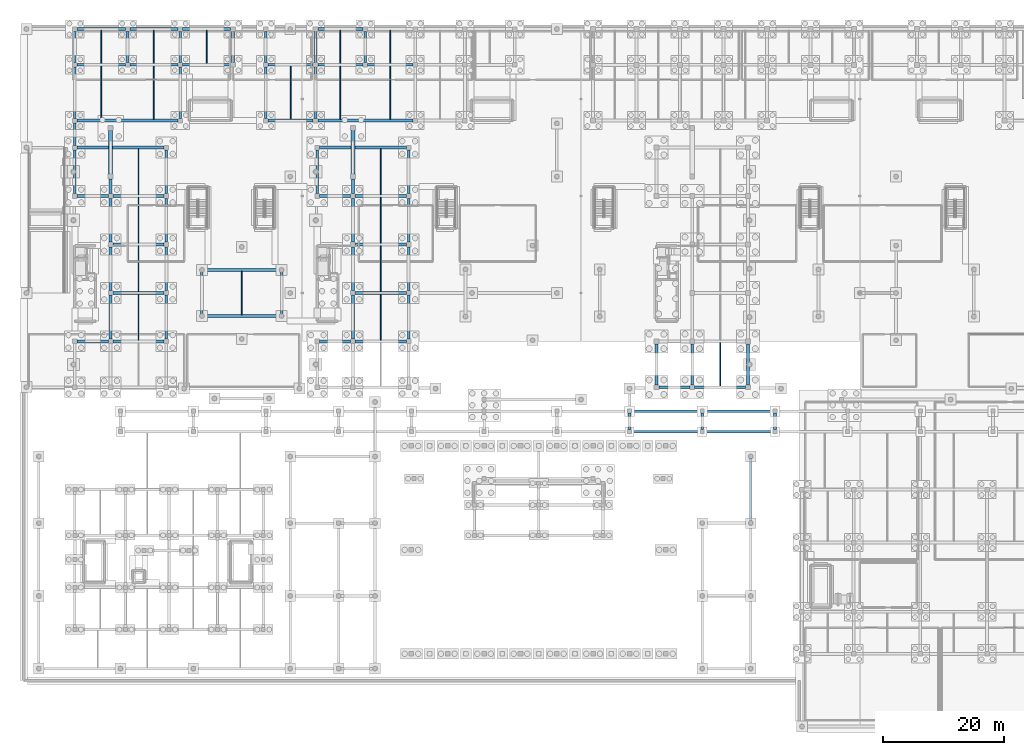
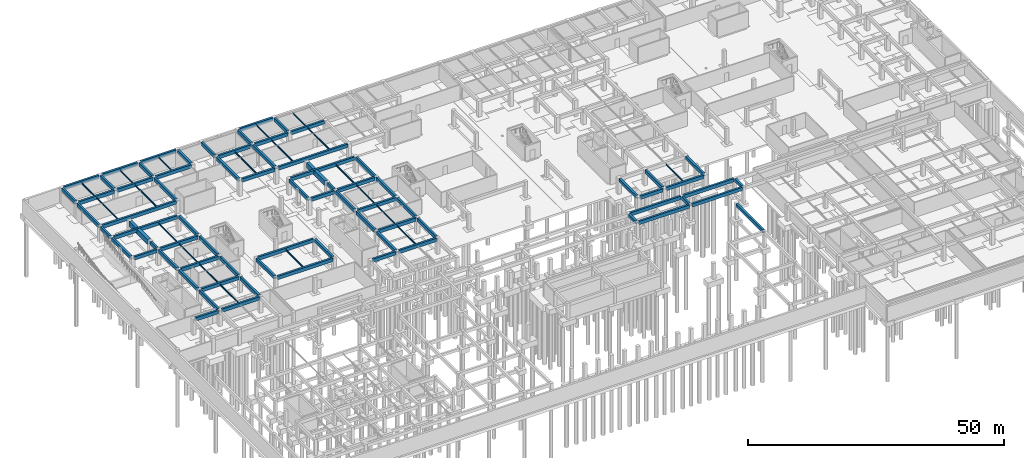
# One storey, part 15 of 35: 96 beams.
"""IFC4 building model written with IfcOpenShell, lengths in metres."""

import ifcopenshell
import ifcopenshell.guid

model = None  # the IFC model being written
_history = None  # IfcOwnerHistory: only IFC2X3 demands one
_inside = {}  # id of a spatial element -> (the spatial element, [elements in it])
_under = {}  # id of a project, library or spatial element -> (it, [spatial elements below it])
_declared = {}  # id of a project -> (the project, [libraries it declares])
_typed = {}  # id of a type object -> (the type object, [elements of that type])
_made_of = {}  # id of a material, layer set ... -> (it, [elements and type objects made of it])


def new_model(schema):
    """Start an empty IFC model of exactly this schema.

    Asked for "IFC4X3", IfcOpenShell would pick the latest addendum, in which some entities
    have other attributes; the version numbers below select the first issue.
    IFC2X3 requires an IfcOwnerHistory on every rooted entity: one is made here for all.
    """
    global model, _history
    if schema == "IFC4X3":
        model = ifcopenshell.file(schema_version=(4, 3, 0, 0))
    else:
        model = ifcopenshell.file(schema=schema)
    _inside.clear()
    _under.clear()
    _declared.clear()
    _typed.clear()
    _made_of.clear()
    _history = None
    if model.schema == "IFC2X3":
        org = make("IfcOrganization", Name="unknown")
        user = make(
            "IfcPersonAndOrganization",
            ThePerson=make("IfcPerson", FamilyName="unknown"),
            TheOrganization=org,
        )
        app = make(
            "IfcApplication",
            ApplicationDeveloper=org,
            Version="unknown",
            ApplicationFullName="unknown",
            ApplicationIdentifier="unknown",
        )
        _history = make(
            "IfcOwnerHistory",
            OwningUser=user,
            OwningApplication=app,
            ChangeAction="ADDED",
            CreationDate=0,
        )
    return model


def make(cls, **values):
    """One entity of the class cls with the attributes given. An attribute that is None is left unset."""
    return model.create_entity(
        cls, **{name: value for name, value in values.items() if value is not None}
    )


def rooted(cls, **values):
    """An entity with a GlobalId (a new one), such as an element, a storey or a relation."""
    return make(cls, GlobalId=ifcopenshell.guid.new(), OwnerHistory=_history, **values)


def si_unit(unit_type, name, prefix=None):
    """IfcSIUnit, for example si_unit("LENGTHUNIT", "METRE", prefix="MILLI")."""
    return make("IfcSIUnit", UnitType=unit_type, Prefix=prefix, Name=name)


def assignment(units):
    """IfcUnitAssignment: the units of a project."""
    return None if units is None else make("IfcUnitAssignment", Units=units)


def point(xyz):
    """IfcCartesianPoint."""
    return None if xyz is None else make("IfcCartesianPoint", Coordinates=xyz)


def direction(xyz):
    """IfcDirection."""
    return None if xyz is None else make("IfcDirection", DirectionRatios=xyz)


def frame(location, z_axis=None, x_axis=None):
    """IfcAxis2Placement3D, a coordinate frame: its origin and axes. An axis left out is left unset."""
    return make(
        "IfcAxis2Placement3D",
        Location=point(location),
        Axis=direction(z_axis),
        RefDirection=direction(x_axis),
    )


def frame_2d(location, x_axis=None):
    """IfcAxis2Placement2D, a coordinate frame in the plane: its origin and x axis."""
    return make(
        "IfcAxis2Placement2D", Location=point(location), RefDirection=direction(x_axis)
    )


def origin():
    """The frame at (0, 0, 0) with its axes left unset."""
    return frame((0.0, 0.0, 0.0))


def origin_2d():
    """The frame at (0, 0) in the plane with its x axis left unset."""
    return frame_2d((0.0, 0.0))


def place(relative_to, where):
    """IfcLocalPlacement: puts the frame where relative to a parent placement (None: the world)."""
    return make(
        "IfcLocalPlacement", PlacementRelTo=relative_to, RelativePlacement=where
    )


def context(
    kind, dimensions, precision=None, world=None, true_north=None, identifier=None
):
    """IfcGeometricRepresentationContext, for example the 3D "Model" context."""
    return make(
        "IfcGeometricRepresentationContext",
        ContextIdentifier=identifier,
        ContextType=kind,
        CoordinateSpaceDimension=dimensions,
        Precision=precision,
        WorldCoordinateSystem=world,
        TrueNorth=true_north,
    )


def subcontext(parent, identifier, kind, view, scale=None):
    """IfcGeometricRepresentationSubContext, for example "Body" below "Model"."""
    return make(
        "IfcGeometricRepresentationSubContext",
        ContextIdentifier=identifier,
        ContextType=kind,
        ParentContext=parent,
        TargetScale=scale,
        TargetView=view,
    )


def project(units=None, contexts=None):
    """IfcProject with its units and contexts."""
    return rooted(
        "IfcProject",
        Name="project",
        RepresentationContexts=contexts,
        UnitsInContext=assignment(units),
    )


def spatial(cls, under=None, at=None, **own):
    """A site, building, storey or space (cls), placed at a placement, below another one or the project."""
    s = rooted(cls, ObjectPlacement=at, **own)
    if under is not None:
        _under.setdefault(under.id(), (under, []))[1].append(s)
    return s


def profile(cls, at=None, kind="AREA", **sizes):
    """A parametric profile (cls). Its sizes go by their IFC names, for example OverallWidth=200.0."""
    return make(cls, ProfileType=kind, Position=at, **sizes)


def rectangle(**sizes):
    """IfcRectangleProfileDef."""
    return profile("IfcRectangleProfileDef", **sizes)


def i_section(**sizes):
    """IfcIShapeProfileDef."""
    return profile("IfcIShapeProfileDef", **sizes)


def extrude(swept, where, along, depth):
    """IfcExtrudedAreaSolid: the profile swept, set in the frame where, extruded along a direction by depth."""
    return make(
        "IfcExtrudedAreaSolid",
        SweptArea=swept,
        Position=where,
        ExtrudedDirection=direction(along),
        Depth=depth,
    )


def shape(context_of_items, identifier, shape_type, items):
    """IfcShapeRepresentation: the items that make up one representation, for example the "Body"."""
    return make(
        "IfcShapeRepresentation",
        ContextOfItems=context_of_items,
        RepresentationIdentifier=identifier,
        RepresentationType=shape_type,
        Items=items,
    )


def material(Name=None, Category=None):
    """IfcMaterial."""
    return make("IfcMaterial", Name=Name, Category=Category)


def material_profile(
    of_material, cross_section, Name=None, Category=None, Priority=None
):
    """IfcMaterialProfile: a cross section and its material."""
    return make(
        "IfcMaterialProfile",
        Name=Name,
        Material=of_material,
        Profile=cross_section,
        Priority=Priority,
        Category=Category,
    )


def profile_set(profiles, Name=None, composite=None):
    """IfcMaterialProfileSet."""
    return make(
        "IfcMaterialProfileSet",
        Name=Name,
        MaterialProfiles=profiles,
        CompositeProfile=composite,
    )


def made_of(thing, what):
    """Note that an element or type object is made of a material, layer set ...; save() writes the relation."""
    if what is not None:
        _made_of.setdefault(what.id(), (what, []))[1].append(thing)
    return thing


def type_object(cls, material=None, **own):
    """A type object (cls), such as IfcWallType, which elements share."""
    return made_of(rooted(cls, **own), material)


def element(
    cls,
    number,
    at=None,
    inside=None,
    cuts=None,
    type_object=None,
    material=None,
    context=None,
    identifier="Body",
    shape_type=None,
    held_by="IfcProductDefinitionShape",
    body=None,
    shapes=None,
    **own,
):
    """One element of the class cls, such as IfcWall. Its Tag is "e" and its number.

    at: its placement. inside: the storey or other place that contains it. cuts: it is an
    opening in that element (IfcRelVoidsElement). A single representation is given by context,
    identifier, shape_type and body (its items); several are given by shapes. held_by: the class
    of the entity that holds the representations. save() writes the other relations.
    """
    e = rooted(cls, Tag="e%d" % number, ObjectPlacement=at, **own)
    if body is not None:
        shapes = [shape(context, identifier, shape_type, body)]
    if shapes is not None:
        e.Representation = make(held_by, Representations=shapes)
    if inside is not None:
        _inside.setdefault(inside.id(), (inside, []))[1].append(e)
    if cuts is not None:
        rooted(
            "IfcRelVoidsElement", RelatingBuildingElement=cuts, RelatedOpeningElement=e
        )
    if type_object is not None:
        _typed.setdefault(type_object.id(), (type_object, []))[1].append(e)
    return made_of(e, material)


def aggregate(whole, parts):
    """IfcRelAggregates: a whole, such as a stair, and the parts it consists of."""
    return rooted("IfcRelAggregates", RelatingObject=whole, RelatedObjects=parts)


def save(model, path):
    """Write the relations noted so far, then the file.

    IfcRelAggregates (storeys below a building ...), IfcRelContainedInSpatialStructure (elements
    in a storey), IfcRelDefinesByType, IfcRelAssociatesMaterial and IfcRelDeclares: one each for
    every whole, place, type object, material and project.
    """
    for whole, parts in _under.values():
        aggregate(whole, parts)
    for where, things in _inside.values():
        rooted(
            "IfcRelContainedInSpatialStructure",
            RelatedElements=things,
            RelatingStructure=where,
        )
    for kind, things in _typed.values():
        rooted("IfcRelDefinesByType", RelatedObjects=things, RelatingType=kind)
    for what, things in _made_of.values():
        rooted("IfcRelAssociatesMaterial", RelatedObjects=things, RelatingMaterial=what)
    for by, libraries in _declared.values():
        rooted("IfcRelDeclares", RelatingContext=by, RelatedDefinitions=libraries)
    model.write(path)


model = new_model("IFC4")

# Units and contexts
model_context = context("Model", 3, precision=1e-05, world=origin(), true_north=direction((0.0, 1.0)))
body_context = subcontext(model_context, "Body", "Model", "MODEL_VIEW")
ifc_project = project(units=[si_unit("LENGTHUNIT", "METRE"), si_unit("AREAUNIT", "SQUARE_METRE"), si_unit("VOLUMEUNIT", "CUBIC_METRE"), si_unit("PLANEANGLEUNIT", "RADIAN"), si_unit("MASSUNIT", "GRAM", prefix="KILO")], contexts=[model_context])

# Site, building, storey
site_placement = place(None, origin())
site = spatial("IfcSite", under=ifc_project, at=site_placement, CompositionType="ELEMENT")
building_placement = place(site_placement, origin())
building = spatial("IfcBuilding", under=site, at=building_placement, Name="Keldmere Railside Commons", CompositionType="ELEMENT")
storey_placement = place(building_placement, frame((0.0, 0.0, -3.840087890625)))
storey = spatial("IfcBuildingStorey", under=building, at=storey_placement, Name="B1", CompositionType="ELEMENT", Elevation=-3.840087890625)

# Beams
ifc_material_1 = material(Name="Concrete H-35 (C35/45)", Category="concrete")
ifc_material_profile_1 = material_profile(ifc_material_1, rectangle(XDim=0.449951171875, YDim=0.800048828125, at=origin_2d()), Name="RC-450x800")
ifc_profile_set_1 = profile_set([ifc_material_profile_1], Name="Concrete H-35 (C35/45)")
beam_type_1 = type_object("IfcBeamType", Name="Basement & Podium RC Girder 450x800", PredefinedType="BEAM", material=ifc_profile_set_1)
for number, where, z_axis, x_axis, name in (
    (1, (100.324951171875, 49.10009765625, 3.440185546875), (1.0, 0.0, 0.0), (0.0, 1.0, 0.0), "BG-1 BM-B1-0073"),
    (2, (112.324951171875, 49.10009765625, 3.440185546875), (1.0, 0.0, 0.0), (0.0, 1.0, 0.0), "BG-1 BM-B1-0074"),
    (3, (100.324951171875, 52.5, 3.440185546875), (1.0, 0.0, 0.0), (0.0, 1.0, 0.0), "BG-1 BM-B1-0086"),
    (4, (112.324951171875, 52.5, 3.440185546875), (1.0, 0.0, 0.0), (0.0, 1.0, 0.0), "BG-1 BM-B1-0087"),
):
    element("IfcBeam", number, at=place(storey_placement, frame(where, z_axis=z_axis, x_axis=x_axis)), inside=storey, type_object=beam_type_1, Name=name, PredefinedType="BEAM", context=body_context, shape_type="SweptSolid", body=[
        extrude(rectangle(XDim=0.449951171875, YDim=0.800048828125, at=origin_2d()), origin(), (0.0, 0.0, 1.0), 11.35009765625),
    ])
beam_1_placement = place(storey_placement, frame((104.85009765625, 56.449951171875, 3.440185546875), z_axis=(1.0, 0.0, 0.0), x_axis=(0.0, 1.0, 0.0)))
element("IfcBeam", 5, at=beam_1_placement, inside=storey, type_object=beam_type_1, Name="BG-1 BM-B1-0099", PredefinedType="BEAM", context=body_context, shape_type="SweptSolid", body=[
    extrude(rectangle(XDim=0.449951171875, YDim=0.800048828125, at=origin_2d()), origin(), (0.0, 0.0, 1.0), 5.099853515625),
])
beam_2_placement = place(storey_placement, frame((110.75, 56.449951171875, 3.440185546875), z_axis=(1.0, 0.0, 0.0), x_axis=(0.0, 1.0, 0.0)))
element("IfcBeam", 6, at=beam_2_placement, inside=storey, type_object=beam_type_1, Name="BG-1 BM-B1-0100", PredefinedType="BEAM", context=body_context, shape_type="SweptSolid", body=[
    extrude(rectangle(XDim=0.449951171875, YDim=0.800048828125, at=origin_2d()), origin(), (0.0, 0.0, 1.0), 8.39990234375),
])
beam_3_placement = place(storey_placement, frame((8.824951171875, 64.0, 3.440185546875), z_axis=(1.0, 0.0, 0.0), x_axis=(0.0, 1.0, 0.0)))
element("IfcBeam", 7, at=beam_3_placement, inside=storey, type_object=beam_type_1, Name="BG-1 BM-B1-0103", PredefinedType="BEAM", context=body_context, shape_type="SweptSolid", body=[
    extrude(rectangle(XDim=0.449951171875, YDim=0.800048828125, at=origin_2d()), origin(), (0.0, 0.0, 1.0), 5.150146484375),
])
beam_4_placement = place(storey_placement, frame((14.72509765625, 64.0, 3.440185546875), z_axis=(1.0, 0.0, 0.0), x_axis=(0.0, 1.0, 0.0)))
element("IfcBeam", 8, at=beam_4_placement, inside=storey, type_object=beam_type_1, Name="BG-1 BM-B1-0104", PredefinedType="BEAM", context=body_context, shape_type="SweptSolid", body=[
    extrude(rectangle(XDim=0.449951171875, YDim=0.800048828125, at=origin_2d()), origin(), (0.0, 0.0, 1.0), 8.449951171875),
])
beam_5_placement = place(storey_placement, frame((48.824951171875, 64.0, 3.440185546875), z_axis=(1.0, 0.0, 0.0), x_axis=(0.0, 1.0, 0.0)))
element("IfcBeam", 9, at=beam_5_placement, inside=storey, type_object=beam_type_1, Name="BG-1 BM-B1-0105", PredefinedType="BEAM", context=body_context, shape_type="SweptSolid", body=[
    extrude(rectangle(XDim=0.449951171875, YDim=0.800048828125, at=origin_2d()), origin(), (0.0, 0.0, 1.0), 5.150146484375),
])
beam_6_placement = place(storey_placement, frame((54.72509765625, 64.0, 3.440185546875), z_axis=(1.0, 0.0, 0.0), x_axis=(0.0, 1.0, 0.0)))
element("IfcBeam", 10, at=beam_6_placement, inside=storey, type_object=beam_type_1, Name="BG-1 BM-B1-0106", PredefinedType="BEAM", context=body_context, shape_type="SweptSolid", body=[
    extrude(rectangle(XDim=0.449951171875, YDim=0.800048828125, at=origin_2d()), origin(), (0.0, 0.0, 1.0), 8.449951171875),
])
beam_7_placement = place(storey_placement, frame((29.742919921875, 68.199951171875, 3.440185546875), z_axis=(1.0, 0.0, 0.0), x_axis=(0.0, 1.0, 0.0)))
element("IfcBeam", 11, at=beam_7_placement, inside=storey, type_object=beam_type_1, Name="BG-1 BM-B1-0111", PredefinedType="BEAM", context=body_context, shape_type="SweptSolid", body=[
    extrude(rectangle(XDim=0.449951171875, YDim=0.800048828125, at=origin_2d()), origin(), (0.0, 0.0, 1.0), 12.51416015625),
])
for number, where, z_axis, x_axis, name in (
    (12, (14.72509765625, 72.0, 3.440185546875), (1.0, 0.0, 0.0), (0.0, 1.0, 0.0), "BG-1 BM-B1-0112"),
    (13, (54.72509765625, 72.0, 3.440185546875), (1.0, 0.0, 0.0), (0.0, 1.0, 0.0), "BG-1 BM-B1-0113"),
):
    element("IfcBeam", number, at=place(storey_placement, frame(where, z_axis=z_axis, x_axis=x_axis)), inside=storey, type_object=beam_type_1, Name=name, PredefinedType="BEAM", context=body_context, shape_type="SweptSolid", body=[
        extrude(rectangle(XDim=0.449951171875, YDim=0.800048828125, at=origin_2d()), origin(), (0.0, 0.0, 1.0), 8.449951171875),
    ])
beam_8_placement = place(storey_placement, frame((29.742919921875, 75.800048828125, 3.440185546875), z_axis=(1.0, 0.0, 0.0), x_axis=(0.0, 1.0, 0.0)))
element("IfcBeam", 14, at=beam_8_placement, inside=storey, type_object=beam_type_1, Name="BG-1 BM-B1-0118", PredefinedType="BEAM", context=body_context, shape_type="SweptSolid", body=[
    extrude(rectangle(XDim=0.449951171875, YDim=0.800048828125, at=origin_2d()), origin(), (0.0, 0.0, 1.0), 12.51416015625),
])
for number, where, z_axis, x_axis, name in (
    (15, (14.72509765625, 80.0, 3.440185546875), (1.0, 0.0, 0.0), (0.0, 1.0, 0.0), "BG-1 BM-B1-0119"),
    (16, (54.72509765625, 80.0, 3.440185546875), (1.0, 0.0, 0.0), (0.0, 1.0, 0.0), "BG-1 BM-B1-0120"),
):
    element("IfcBeam", number, at=place(storey_placement, frame(where, z_axis=z_axis, x_axis=x_axis)), inside=storey, type_object=beam_type_1, Name=name, PredefinedType="BEAM", context=body_context, shape_type="SweptSolid", body=[
        extrude(rectangle(XDim=0.449951171875, YDim=0.800048828125, at=origin_2d()), origin(), (0.0, 0.0, 1.0), 8.449951171875),
    ])
beam_9_placement = place(storey_placement, frame((8.824951171875, 88.0, 3.440185546875), z_axis=(1.0, 0.0, 0.0), x_axis=(0.0, 1.0, 0.0)))
element("IfcBeam", 17, at=beam_9_placement, inside=storey, type_object=beam_type_1, Name="BG-1 BM-B1-0123", PredefinedType="BEAM", context=body_context, shape_type="SweptSolid", body=[
    extrude(rectangle(XDim=0.449951171875, YDim=0.800048828125, at=origin_2d()), origin(), (0.0, 0.0, 1.0), 5.150146484375),
])
beam_10_placement = place(storey_placement, frame((14.72509765625, 88.0, 3.440185546875), z_axis=(1.0, 0.0, 0.0), x_axis=(0.0, 1.0, 0.0)))
element("IfcBeam", 18, at=beam_10_placement, inside=storey, type_object=beam_type_1, Name="BG-1 BM-B1-0124", PredefinedType="BEAM", context=body_context, shape_type="SweptSolid", body=[
    extrude(rectangle(XDim=0.449951171875, YDim=0.800048828125, at=origin_2d()), origin(), (0.0, 0.0, 1.0), 8.449951171875),
])
beam_11_placement = place(storey_placement, frame((48.824951171875, 88.0, 3.440185546875), z_axis=(1.0, 0.0, 0.0), x_axis=(0.0, 1.0, 0.0)))
element("IfcBeam", 19, at=beam_11_placement, inside=storey, type_object=beam_type_1, Name="BG-1 BM-B1-0125", PredefinedType="BEAM", context=body_context, shape_type="SweptSolid", body=[
    extrude(rectangle(XDim=0.449951171875, YDim=0.800048828125, at=origin_2d()), origin(), (0.0, 0.0, 1.0), 5.150146484375),
])
beam_12_placement = place(storey_placement, frame((54.72509765625, 88.0, 3.440185546875), z_axis=(1.0, 0.0, 0.0), x_axis=(0.0, 1.0, 0.0)))
element("IfcBeam", 20, at=beam_12_placement, inside=storey, type_object=beam_type_1, Name="BG-1 BM-B1-0126", PredefinedType="BEAM", context=body_context, shape_type="SweptSolid", body=[
    extrude(rectangle(XDim=0.449951171875, YDim=0.800048828125, at=origin_2d()), origin(), (0.0, 0.0, 1.0), 8.449951171875),
])
for number, where, z_axis, x_axis, name in (
    (21, (8.824951171875, 96.0, 3.440185546875), (1.0, 0.0, 0.0), (0.0, 1.0, 0.0), "BG-1 BM-B1-0131"),
    (22, (48.824951171875, 96.0, 3.440185546875), (1.0, 0.0, 0.0), (0.0, 1.0, 0.0), "BG-1 BM-B1-0132"),
):
    element("IfcBeam", number, at=place(storey_placement, frame(where, z_axis=z_axis, x_axis=x_axis)), inside=storey, type_object=beam_type_1, Name=name, PredefinedType="BEAM", context=body_context, shape_type="SweptSolid", body=[
        extrude(rectangle(XDim=0.449951171875, YDim=0.800048828125, at=origin_2d()), origin(), (0.0, 0.0, 1.0), 14.35009765625),
    ])
beam_13_placement = place(storey_placement, frame((8.824951171875, 100.449951171875, 3.440185546875), z_axis=(1.0, 0.0, 0.0), x_axis=(0.0, 1.0, 0.0)))
element("IfcBeam", 23, at=beam_13_placement, inside=storey, type_object=beam_type_1, Name="BG-1 BM-B1-0135", PredefinedType="BEAM", context=body_context, shape_type="SweptSolid", body=[
    extrude(rectangle(XDim=0.449951171875, YDim=0.800048828125, at=origin_2d()), origin(), (0.0, 0.0, 1.0), 16.650146484375),
])
beam_14_placement = place(storey_placement, frame((40.324951171875, 100.449951171875, 3.440185546875), z_axis=(1.0, 0.0, 0.0), x_axis=(0.0, 1.0, 0.0)))
element("IfcBeam", 24, at=beam_14_placement, inside=storey, type_object=beam_type_1, Name="BG-1 BM-B1-0136", PredefinedType="BEAM", context=body_context, shape_type="SweptSolid", body=[
    extrude(rectangle(XDim=0.449951171875, YDim=0.800048828125, at=origin_2d()), origin(), (0.0, 0.0, 1.0), 7.469970703125),
])
beam_15_placement = place(storey_placement, frame((48.544921875, 100.449951171875, 3.440185546875), z_axis=(1.0, 0.0, 0.0), x_axis=(0.0, 1.0, 0.0)))
element("IfcBeam", 25, at=beam_15_placement, inside=storey, type_object=beam_type_1, Name="BG-1 BM-B1-0137", PredefinedType="BEAM", context=body_context, shape_type="SweptSolid", body=[
    extrude(rectangle(XDim=0.449951171875, YDim=0.800048828125, at=origin_2d()), origin(), (0.0, 0.0, 1.0), 15.690185546875),
])
beam_16_placement = place(storey_placement, frame((8.824951171875, 109.64990234375, 3.440185546875), z_axis=(1.0, 0.0, 0.0), x_axis=(0.0, 1.0, 0.0)))
element("IfcBeam", 26, at=beam_16_placement, inside=storey, type_object=beam_type_1, Name="BG-1 BM-B1-0145", PredefinedType="BEAM", context=body_context, shape_type="SweptSolid", body=[
    extrude(rectangle(XDim=0.449951171875, YDim=0.800048828125, at=origin_2d()), origin(), (0.0, 0.0, 1.0), 7.949951171875),
])
beam_17_placement = place(storey_placement, frame((17.52490234375, 109.64990234375, 3.440185546875), z_axis=(1.0, 0.0, 0.0), x_axis=(0.0, 1.0, 0.0)))
element("IfcBeam", 27, at=beam_17_placement, inside=storey, type_object=beam_type_1, Name="BG-1 BM-B1-0146", PredefinedType="BEAM", context=body_context, shape_type="SweptSolid", body=[
    extrude(rectangle(XDim=0.449951171875, YDim=0.800048828125, at=origin_2d()), origin(), (0.0, 0.0, 1.0), 7.9501953125),
])
beam_18_placement = place(storey_placement, frame((26.22509765625, 109.64990234375, 3.440185546875), z_axis=(1.0, 0.0, 0.0), x_axis=(0.0, 1.0, 0.0)))
element("IfcBeam", 28, at=beam_18_placement, inside=storey, type_object=beam_type_1, Name="BG-1 BM-B1-0147", PredefinedType="BEAM", context=body_context, shape_type="SweptSolid", body=[
    extrude(rectangle(XDim=0.449951171875, YDim=0.800048828125, at=origin_2d()), origin(), (0.0, 0.0, 1.0), 7.949951171875),
])
for number, where, z_axis, x_axis, name in (
    (29, (40.324951171875, 109.64990234375, 3.440185546875), (1.0, 0.0, 0.0), (0.0, 1.0, 0.0), "BG-1 BM-B1-0148"),
    (30, (48.544921875, 109.64990234375, 3.440185546875), (1.0, 0.0, 0.0), (0.0, 1.0, 0.0), "BG-1 BM-B1-0149"),
):
    element("IfcBeam", number, at=place(storey_placement, frame(where, z_axis=z_axis, x_axis=x_axis)), inside=storey, type_object=beam_type_1, Name=name, PredefinedType="BEAM", context=body_context, shape_type="SweptSolid", body=[
        extrude(rectangle(XDim=0.449951171875, YDim=0.800048828125, at=origin_2d()), origin(), (0.0, 0.0, 1.0), 7.469970703125),
    ])
beam_19_placement = place(storey_placement, frame((56.764892578125, 109.64990234375, 3.440185546875), z_axis=(1.0, 0.0, 0.0), x_axis=(0.0, 1.0, 0.0)))
element("IfcBeam", 31, at=beam_19_placement, inside=storey, type_object=beam_type_1, Name="BG-1 BM-B1-0150", PredefinedType="BEAM", context=body_context, shape_type="SweptSolid", body=[
    extrude(rectangle(XDim=0.449951171875, YDim=0.800048828125, at=origin_2d()), origin(), (0.0, 0.0, 1.0), 7.47021484375),
])
beam_20_placement = place(storey_placement, frame((8.824951171875, 115.550048828125, 3.440185546875), z_axis=(1.0, 0.0, 0.0), x_axis=(0.0, 1.0, 0.0)))
element("IfcBeam", 32, at=beam_20_placement, inside=storey, type_object=beam_type_1, Name="BG-1 BM-B1-0164", PredefinedType="BEAM", context=body_context, shape_type="SweptSolid", body=[
    extrude(rectangle(XDim=0.449951171875, YDim=0.800048828125, at=origin_2d()), origin(), (0.0, 0.0, 1.0), 7.949951171875),
])
beam_21_placement = place(storey_placement, frame((17.52490234375, 115.550048828125, 3.440185546875), z_axis=(1.0, 0.0, 0.0), x_axis=(0.0, 1.0, 0.0)))
element("IfcBeam", 33, at=beam_21_placement, inside=storey, type_object=beam_type_1, Name="BG-1 BM-B1-0165", PredefinedType="BEAM", context=body_context, shape_type="SweptSolid", body=[
    extrude(rectangle(XDim=0.449951171875, YDim=0.800048828125, at=origin_2d()), origin(), (0.0, 0.0, 1.0), 7.9501953125),
])
beam_22_placement = place(storey_placement, frame((26.22509765625, 115.550048828125, 3.440185546875), z_axis=(1.0, 0.0, 0.0), x_axis=(0.0, 1.0, 0.0)))
element("IfcBeam", 34, at=beam_22_placement, inside=storey, type_object=beam_type_1, Name="BG-1 BM-B1-0166", PredefinedType="BEAM", context=body_context, shape_type="SweptSolid", body=[
    extrude(rectangle(XDim=0.449951171875, YDim=0.800048828125, at=origin_2d()), origin(), (0.0, 0.0, 1.0), 7.949951171875),
])
beam_23_placement = place(storey_placement, frame((48.544921875, 115.550048828125, 3.440185546875), z_axis=(1.0, 0.0, 0.0), x_axis=(0.0, 1.0, 0.0)))
element("IfcBeam", 35, at=beam_23_placement, inside=storey, type_object=beam_type_1, Name="BG-1 BM-B1-0167", PredefinedType="BEAM", context=body_context, shape_type="SweptSolid", body=[
    extrude(rectangle(XDim=0.449951171875, YDim=0.800048828125, at=origin_2d()), origin(), (0.0, 0.0, 1.0), 7.469970703125),
])
beam_24_placement = place(storey_placement, frame((8.449951171875, 88.375, 3.440185546875), z_axis=(0.0, 1.0, 0.0), x_axis=(-1.0, 0.0, 0.0)))
element("IfcBeam", 36, at=beam_24_placement, inside=storey, type_object=beam_type_1, Name="BG-1 BM-B1-0188", PredefinedType="BEAM", context=body_context, shape_type="SweptSolid", body=[
    extrude(rectangle(XDim=0.449951171875, YDim=0.800048828125, at=origin_2d()), origin(), (0.0, 0.0, 1.0), 7.25),
])
beam_25_placement = place(storey_placement, frame((8.449951171875, 96.375, 3.440185546875), z_axis=(0.0, 1.0, 0.0), x_axis=(-1.0, 0.0, 0.0)))
element("IfcBeam", 37, at=beam_25_placement, inside=storey, type_object=beam_type_1, Name="BG-1 BM-B1-0189", PredefinedType="BEAM", context=body_context, shape_type="SweptSolid", body=[
    extrude(rectangle(XDim=0.449951171875, YDim=0.800048828125, at=origin_2d()), origin(), (0.0, 0.0, 1.0), 3.699951171875),
])
beam_26_placement = place(storey_placement, frame((8.449951171875, 100.824951171875, 3.440185546875), z_axis=(0.0, 1.0, 0.0), x_axis=(-1.0, 0.0, 0.0)))
element("IfcBeam", 38, at=beam_26_placement, inside=storey, type_object=beam_type_1, Name="BG-1 BM-B1-0190", PredefinedType="BEAM", context=body_context, shape_type="SweptSolid", body=[
    extrude(rectangle(XDim=0.449951171875, YDim=0.800048828125, at=origin_2d()), origin(), (0.0, 0.0, 1.0), 8.449951171875),
])
beam_27_placement = place(storey_placement, frame((8.449951171875, 110.02490234375, 3.440185546875), z_axis=(0.0, 1.0, 0.0), x_axis=(-1.0, 0.0, 0.0)))
element("IfcBeam", 39, at=beam_27_placement, inside=storey, type_object=beam_type_1, Name="BG-1 BM-B1-0191", PredefinedType="BEAM", context=body_context, shape_type="SweptSolid", body=[
    extrude(rectangle(XDim=0.449951171875, YDim=0.800048828125, at=origin_2d()), origin(), (0.0, 0.0, 1.0), 5.150146484375),
])
for number, where, z_axis, x_axis, name in (
    (40, (14.35009765625, 64.375, 3.440185546875), (0.0, 1.0, 0.0), (-1.0, 0.0, 0.0), "BG-1 BM-B1-0193"),
    (41, (14.35009765625, 72.375, 3.440185546875), (0.0, 1.0, 0.0), (-1.0, 0.0, 0.0), "BG-1 BM-B1-0194"),
    (42, (14.35009765625, 80.375, 3.440185546875), (0.0, 1.0, 0.0), (-1.0, 0.0, 0.0), "BG-1 BM-B1-0195"),
):
    element("IfcBeam", number, at=place(storey_placement, frame(where, z_axis=z_axis, x_axis=x_axis)), inside=storey, type_object=beam_type_1, Name=name, PredefinedType="BEAM", context=body_context, shape_type="SweptSolid", body=[
        extrude(rectangle(XDim=0.449951171875, YDim=0.800048828125, at=origin_2d()), origin(), (0.0, 0.0, 1.0), 7.25),
    ])
beam_28_placement = place(storey_placement, frame((14.35009765625, 88.375, 3.440185546875), z_axis=(0.0, 1.0, 0.0), x_axis=(-1.0, 0.0, 0.0)))
element("IfcBeam", 43, at=beam_28_placement, inside=storey, type_object=beam_type_1, Name="BG-1 BM-B1-0196", PredefinedType="BEAM", context=body_context, shape_type="SweptSolid", body=[
    extrude(rectangle(XDim=0.449951171875, YDim=0.800048828125, at=origin_2d()), origin(), (0.0, 0.0, 1.0), 2.425048828125),
])
beam_29_placement = place(storey_placement, frame((17.14990234375, 110.02490234375, 3.440185546875), z_axis=(0.0, 1.0, 0.0), x_axis=(-1.0, 0.0, 0.0)))
element("IfcBeam", 44, at=beam_29_placement, inside=storey, type_object=beam_type_1, Name="BG-1 BM-B1-0201", PredefinedType="BEAM", context=body_context, shape_type="SweptSolid", body=[
    extrude(rectangle(XDim=0.449951171875, YDim=0.800048828125, at=origin_2d()), origin(), (0.0, 0.0, 1.0), 5.150146484375),
])
for number, where, z_axis, x_axis, name in (
    (45, (23.550048828125, 64.375, 3.440185546875), (0.0, 1.0, 0.0), (-1.0, 0.0, 0.0), "BG-1 BM-B1-0203"),
    (46, (23.550048828125, 72.375, 3.440185546875), (0.0, 1.0, 0.0), (-1.0, 0.0, 0.0), "BG-1 BM-B1-0204"),
    (47, (23.550048828125, 80.375, 3.440185546875), (0.0, 1.0, 0.0), (-1.0, 0.0, 0.0), "BG-1 BM-B1-0205"),
    (48, (23.550048828125, 88.375, 3.440185546875), (0.0, 1.0, 0.0), (-1.0, 0.0, 0.0), "BG-1 BM-B1-0206"),
):
    element("IfcBeam", number, at=place(storey_placement, frame(where, z_axis=z_axis, x_axis=x_axis)), inside=storey, type_object=beam_type_1, Name=name, PredefinedType="BEAM", context=body_context, shape_type="SweptSolid", body=[
        extrude(rectangle(XDim=0.449951171875, YDim=0.800048828125, at=origin_2d()), origin(), (0.0, 0.0, 1.0), 7.25),
    ])
beam_30_placement = place(storey_placement, frame((25.85009765625, 100.824951171875, 3.440185546875), z_axis=(0.0, 1.0, 0.0), x_axis=(-1.0, 0.0, 0.0)))
element("IfcBeam", 49, at=beam_30_placement, inside=storey, type_object=beam_type_1, Name="BG-1 BM-B1-0210", PredefinedType="BEAM", context=body_context, shape_type="SweptSolid", body=[
    extrude(rectangle(XDim=0.449951171875, YDim=0.800048828125, at=origin_2d()), origin(), (0.0, 0.0, 1.0), 8.449951171875),
])
beam_31_placement = place(storey_placement, frame((25.85009765625, 110.02490234375, 3.440185546875), z_axis=(0.0, 1.0, 0.0), x_axis=(-1.0, 0.0, 0.0)))
element("IfcBeam", 50, at=beam_31_placement, inside=storey, type_object=beam_type_1, Name="BG-1 BM-B1-0211", PredefinedType="BEAM", context=body_context, shape_type="SweptSolid", body=[
    extrude(rectangle(XDim=0.449951171875, YDim=0.800048828125, at=origin_2d()), origin(), (0.0, 0.0, 1.0), 5.150146484375),
])
beam_32_placement = place(storey_placement, frame((29.41796875, 68.52490234375, 3.440185546875), z_axis=(0.0, 1.0, 0.0), x_axis=(-1.0, 0.0, 0.0)))
element("IfcBeam", 51, at=beam_32_placement, inside=storey, type_object=beam_type_1, Name="BG-1 BM-B1-0213", PredefinedType="BEAM", context=body_context, shape_type="SweptSolid", body=[
    extrude(rectangle(XDim=0.449951171875, YDim=0.800048828125, at=origin_2d()), origin(), (0.0, 0.0, 1.0), 6.9501953125),
])
beam_33_placement = place(storey_placement, frame((34.550048828125, 110.02490234375, 3.440185546875), z_axis=(0.0, 1.0, 0.0), x_axis=(-1.0, 0.0, 0.0)))
element("IfcBeam", 52, at=beam_33_placement, inside=storey, type_object=beam_type_1, Name="BG-1 BM-B1-0217", PredefinedType="BEAM", context=body_context, shape_type="SweptSolid", body=[
    extrude(rectangle(XDim=0.449951171875, YDim=0.800048828125, at=origin_2d()), origin(), (0.0, 0.0, 1.0), 5.150146484375),
])
beam_34_placement = place(storey_placement, frame((39.949951171875, 100.824951171875, 3.440185546875), z_axis=(0.0, 1.0, 0.0), x_axis=(-1.0, 0.0, 0.0)))
element("IfcBeam", 53, at=beam_34_placement, inside=storey, type_object=beam_type_1, Name="BG-1 BM-B1-0221", PredefinedType="BEAM", context=body_context, shape_type="SweptSolid", body=[
    extrude(rectangle(XDim=0.449951171875, YDim=0.800048828125, at=origin_2d()), origin(), (0.0, 0.0, 1.0), 8.449951171875),
])
beam_35_placement = place(storey_placement, frame((39.949951171875, 110.02490234375, 3.440185546875), z_axis=(0.0, 1.0, 0.0), x_axis=(-1.0, 0.0, 0.0)))
element("IfcBeam", 54, at=beam_35_placement, inside=storey, type_object=beam_type_1, Name="BG-1 BM-B1-0222", PredefinedType="BEAM", context=body_context, shape_type="SweptSolid", body=[
    extrude(rectangle(XDim=0.449951171875, YDim=0.800048828125, at=origin_2d()), origin(), (0.0, 0.0, 1.0), 5.150146484375),
])
beam_36_placement = place(storey_placement, frame((42.58203125, 68.52490234375, 3.440185546875), z_axis=(0.0, 1.0, 0.0), x_axis=(-1.0, 0.0, 0.0)))
element("IfcBeam", 55, at=beam_36_placement, inside=storey, type_object=beam_type_1, Name="BG-1 BM-B1-0223", PredefinedType="BEAM", context=body_context, shape_type="SweptSolid", body=[
    extrude(rectangle(XDim=0.449951171875, YDim=0.800048828125, at=origin_2d()), origin(), (0.0, 0.0, 1.0), 6.9501953125),
])
beam_37_placement = place(storey_placement, frame((48.169921875, 100.824951171875, 3.440185546875), z_axis=(0.0, 1.0, 0.0), x_axis=(-1.0, 0.0, 0.0)))
element("IfcBeam", 56, at=beam_37_placement, inside=storey, type_object=beam_type_1, Name="BG-1 BM-B1-0227", PredefinedType="BEAM", context=body_context, shape_type="SweptSolid", body=[
    extrude(rectangle(XDim=0.449951171875, YDim=0.800048828125, at=origin_2d()), origin(), (0.0, 0.0, 1.0), 8.449951171875),
])
beam_38_placement = place(storey_placement, frame((48.169921875, 110.02490234375, 3.440185546875), z_axis=(0.0, 1.0, 0.0), x_axis=(-1.0, 0.0, 0.0)))
element("IfcBeam", 57, at=beam_38_placement, inside=storey, type_object=beam_type_1, Name="BG-1 BM-B1-0228", PredefinedType="BEAM", context=body_context, shape_type="SweptSolid", body=[
    extrude(rectangle(XDim=0.449951171875, YDim=0.800048828125, at=origin_2d()), origin(), (0.0, 0.0, 1.0), 5.150146484375),
])
for number, where, z_axis, x_axis, name in (
    (58, (48.449951171875, 88.375, 3.440185546875), (0.0, 1.0, 0.0), (-1.0, 0.0, 0.0), "BG-1 BM-B1-0230"),
    (59, (54.35009765625, 64.375, 3.440185546875), (0.0, 1.0, 0.0), (-1.0, 0.0, 0.0), "BG-1 BM-B1-0235"),
    (60, (54.35009765625, 72.375, 3.440185546875), (0.0, 1.0, 0.0), (-1.0, 0.0, 0.0), "BG-1 BM-B1-0236"),
    (61, (54.35009765625, 80.375, 3.440185546875), (0.0, 1.0, 0.0), (-1.0, 0.0, 0.0), "BG-1 BM-B1-0237"),
):
    element("IfcBeam", number, at=place(storey_placement, frame(where, z_axis=z_axis, x_axis=x_axis)), inside=storey, type_object=beam_type_1, Name=name, PredefinedType="BEAM", context=body_context, shape_type="SweptSolid", body=[
        extrude(rectangle(XDim=0.449951171875, YDim=0.800048828125, at=origin_2d()), origin(), (0.0, 0.0, 1.0), 7.25),
    ])
beam_39_placement = place(storey_placement, frame((54.35009765625, 88.375, 3.440185546875), z_axis=(0.0, 1.0, 0.0), x_axis=(-1.0, 0.0, 0.0)))
element("IfcBeam", 62, at=beam_39_placement, inside=storey, type_object=beam_type_1, Name="BG-1 BM-B1-0238", PredefinedType="BEAM", context=body_context, shape_type="SweptSolid", body=[
    extrude(rectangle(XDim=0.449951171875, YDim=0.800048828125, at=origin_2d()), origin(), (0.0, 0.0, 1.0), 2.425048828125),
])
beam_40_placement = place(storey_placement, frame((56.389892578125, 110.02490234375, 3.440185546875), z_axis=(0.0, 1.0, 0.0), x_axis=(-1.0, 0.0, 0.0)))
element("IfcBeam", 63, at=beam_40_placement, inside=storey, type_object=beam_type_1, Name="BG-1 BM-B1-0239", PredefinedType="BEAM", context=body_context, shape_type="SweptSolid", body=[
    extrude(rectangle(XDim=0.449951171875, YDim=0.800048828125, at=origin_2d()), origin(), (0.0, 0.0, 1.0), 5.150146484375),
])
for number, where, z_axis, x_axis, name in (
    (64, (63.550048828125, 64.375, 3.440185546875), (0.0, 1.0, 0.0), (-1.0, 0.0, 0.0), "BG-1 BM-B1-0245"),
    (65, (63.550048828125, 72.375, 3.440185546875), (0.0, 1.0, 0.0), (-1.0, 0.0, 0.0), "BG-1 BM-B1-0246"),
    (66, (63.550048828125, 80.375, 3.440185546875), (0.0, 1.0, 0.0), (-1.0, 0.0, 0.0), "BG-1 BM-B1-0247"),
    (67, (63.550048828125, 88.375, 3.440185546875), (0.0, 1.0, 0.0), (-1.0, 0.0, 0.0), "BG-1 BM-B1-0248"),
):
    element("IfcBeam", number, at=place(storey_placement, frame(where, z_axis=z_axis, x_axis=x_axis)), inside=storey, type_object=beam_type_1, Name=name, PredefinedType="BEAM", context=body_context, shape_type="SweptSolid", body=[
        extrude(rectangle(XDim=0.449951171875, YDim=0.800048828125, at=origin_2d()), origin(), (0.0, 0.0, 1.0), 7.25),
    ])
beam_41_placement = place(storey_placement, frame((100.0, 49.425048828125, 3.440185546875), z_axis=(0.0, 1.0, 0.0), x_axis=(-1.0, 0.0, 0.0)))
element("IfcBeam", 68, at=beam_41_placement, inside=storey, type_object=beam_type_1, Name="BG-1 BM-B1-0268", PredefinedType="BEAM", context=body_context, shape_type="SweptSolid", body=[
    extrude(rectangle(XDim=0.449951171875, YDim=0.800048828125, at=origin_2d()), origin(), (0.0, 0.0, 1.0), 2.75),
])
for number, where, z_axis, x_axis, name in (
    (69, (104.449951171875, 56.85009765625, 3.440185546875), (0.0, 1.0, 0.0), (-1.0, 0.0, 0.0), "BG-1 BM-B1-0271"),
    (70, (110.35009765625, 56.85009765625, 3.440185546875), (0.0, 1.0, 0.0), (-1.0, 0.0, 0.0), "BG-1 BM-B1-0275"),
):
    element("IfcBeam", number, at=place(storey_placement, frame(where, z_axis=z_axis, x_axis=x_axis)), inside=storey, type_object=beam_type_1, Name=name, PredefinedType="BEAM", context=body_context, shape_type="SweptSolid", body=[
        extrude(rectangle(XDim=0.449951171875, YDim=0.800048828125, at=origin_2d()), origin(), (0.0, 0.0, 1.0), 6.75),
    ])
beam_42_placement = place(storey_placement, frame((112.0, 49.425048828125, 3.440185546875), z_axis=(0.0, 1.0, 0.0), x_axis=(-1.0, 0.0, 0.0)))
element("IfcBeam", 71, at=beam_42_placement, inside=storey, type_object=beam_type_1, Name="BG-1 BM-B1-0281", PredefinedType="BEAM", context=body_context, shape_type="SweptSolid", body=[
    extrude(rectangle(XDim=0.449951171875, YDim=0.800048828125, at=origin_2d()), origin(), (0.0, 0.0, 1.0), 2.75),
])
beam_43_placement = place(storey_placement, frame((119.550048828125, 56.85009765625, 3.440185546875), z_axis=(0.0, 1.0, 0.0), x_axis=(-1.0, 0.0, 0.0)))
element("IfcBeam", 72, at=beam_43_placement, inside=storey, type_object=beam_type_1, Name="BG-1 BM-B1-0284", PredefinedType="BEAM", context=body_context, shape_type="SweptSolid", body=[
    extrude(rectangle(XDim=0.449951171875, YDim=0.800048828125, at=origin_2d()), origin(), (0.0, 0.0, 1.0), 6.75),
])
beam_44_placement = place(storey_placement, frame((120.0, 34.324951171875, 3.440185546875), z_axis=(0.0, 1.0, 0.0), x_axis=(-1.0, 0.0, 0.0)))
element("IfcBeam", 73, at=beam_44_placement, inside=storey, type_object=beam_type_1, Name="BG-1 BM-B1-0291", PredefinedType="BEAM", context=body_context, shape_type="SweptSolid", body=[
    extrude(rectangle(XDim=0.449951171875, YDim=0.800048828125, at=origin_2d()), origin(), (0.0, 0.0, 1.0), 10.35009765625),
])
beam_45_placement = place(storey_placement, frame((124.0, 49.425048828125, 3.440185546875), z_axis=(0.0, 1.0, 0.0), x_axis=(-1.0, 0.0, 0.0)))
element("IfcBeam", 74, at=beam_45_placement, inside=storey, type_object=beam_type_1, Name="BG-1 BM-B1-0294", PredefinedType="BEAM", context=body_context, shape_type="SweptSolid", body=[
    extrude(rectangle(XDim=0.449951171875, YDim=0.800048828125, at=origin_2d()), origin(), (0.0, 0.0, 1.0), 2.75),
])
ifc_material_2 = material(Name="Concrete H-40 (C40/50)", Category="concrete")
ifc_material_profile_2 = material_profile(ifc_material_2, rectangle(XDim=0.699951171875, YDim=1.199951171875, at=origin_2d()), Name="RC-700x1200")
ifc_profile_set_2 = profile_set([ifc_material_profile_2], Name="Concrete H-40 (C40/50)")
beam_type_2 = type_object("IfcBeamType", Name="Heavy Aisle Transfer Girder 700x1200", PredefinedType="BEAM", material=ifc_profile_set_2)
for number, where, z_axis, x_axis, name in (
    (75, (14.35009765625, 91.60009765625, 3.239990234375), (0.0, 1.0, 0.0), (-1.0, 0.0, 0.0), "TG-2 BM-B1-0001"),
    (76, (54.35009765625, 91.60009765625, 3.239990234375), (0.0, 1.0, 0.0), (-1.0, 0.0, 0.0), "TG-2 BM-B1-0002"),
):
    element("IfcBeam", number, at=place(storey_placement, frame(where, z_axis=z_axis, x_axis=x_axis)), inside=storey, type_object=beam_type_2, Name=name, PredefinedType="BEAM", context=body_context, shape_type="SweptSolid", body=[
        extrude(rectangle(XDim=0.699951171875, YDim=1.199951171875, at=origin_2d()), origin(), (0.0, 0.0, 1.0), 7.199951171875),
    ])
ifc_material_3 = material(Name="Steel F-36 (S355)", Category="steel")
ifc_material_profile_3 = material_profile(ifc_material_3, i_section(OverallWidth=0.14990234375, OverallDepth=0.300048828125, WebThickness=0.007080078125, FlangeThickness=0.0107421875, at=origin_2d()), Name="IPE-300")
ifc_profile_set_3 = profile_set([ifc_material_profile_3], Name="Steel F-36 (S355)")
beam_type_3 = type_object("IfcBeamType", Name="Podium & Arcade Steel Joist IPE300", PredefinedType="JOIST", material=ifc_profile_set_3)
beam_46_placement = place(storey_placement, frame((114.949951171875, 56.675048828125, 3.3701171875), z_axis=(0.0, 1.0, 0.0), x_axis=(-1.0, 0.0, 0.0)))
element("IfcBeam", 77, at=beam_46_placement, inside=storey, type_object=beam_type_3, Name="JST-1 BM-B1-0376", PredefinedType="JOIST", context=body_context, shape_type="SweptSolid", body=[
    extrude(i_section(OverallWidth=0.14990234375, OverallDepth=0.300048828125, WebThickness=0.007080078125, FlangeThickness=0.0107421875, at=origin_2d()), origin(), (0.0, 0.0, 1.0), 7.099853515625),
])
for number, where, z_axis, x_axis, name in (
    (78, (18.949951171875, 64.22509765625, 3.3701171875), (0.0, 1.0, 0.0), (-1.0, 0.0, 0.0), "JST-1 BM-B1-0378"),
    (79, (58.949951171875, 64.22509765625, 3.3701171875), (0.0, 1.0, 0.0), (-1.0, 0.0, 0.0), "JST-1 BM-B1-0379"),
):
    element("IfcBeam", number, at=place(storey_placement, frame(where, z_axis=z_axis, x_axis=x_axis)), inside=storey, type_object=beam_type_3, Name=name, PredefinedType="JOIST", context=body_context, shape_type="SweptSolid", body=[
        extrude(i_section(OverallWidth=0.14990234375, OverallDepth=0.300048828125, WebThickness=0.007080078125, FlangeThickness=0.0107421875, at=origin_2d()), origin(), (0.0, 0.0, 1.0), 7.5498046875),
    ])
beam_47_placement = place(storey_placement, frame((36.0, 68.425048828125, 3.3701171875), z_axis=(0.0, 1.0, 0.0), x_axis=(-1.0, 0.0, 0.0)))
element("IfcBeam", 80, at=beam_47_placement, inside=storey, type_object=beam_type_3, Name="JST-1 BM-B1-0381", PredefinedType="JOIST", context=body_context, shape_type="SweptSolid", body=[
    extrude(i_section(OverallWidth=0.14990234375, OverallDepth=0.300048828125, WebThickness=0.007080078125, FlangeThickness=0.0107421875, at=origin_2d()), origin(), (0.0, 0.0, 1.0), 7.14990234375),
])
for number, where, z_axis, x_axis, name in (
    (81, (18.949951171875, 72.22509765625, 3.3701171875), (0.0, 1.0, 0.0), (-1.0, 0.0, 0.0), "JST-1 BM-B1-0382"),
    (82, (58.949951171875, 72.22509765625, 3.3701171875), (0.0, 1.0, 0.0), (-1.0, 0.0, 0.0), "JST-1 BM-B1-0383"),
    (83, (18.949951171875, 80.22509765625, 3.3701171875), (0.0, 1.0, 0.0), (-1.0, 0.0, 0.0), "JST-1 BM-B1-0385"),
    (84, (58.949951171875, 80.22509765625, 3.3701171875), (0.0, 1.0, 0.0), (-1.0, 0.0, 0.0), "JST-1 BM-B1-0386"),
    (85, (18.949951171875, 88.22509765625, 3.3701171875), (0.0, 1.0, 0.0), (-1.0, 0.0, 0.0), "JST-1 BM-B1-0388"),
    (86, (58.949951171875, 88.22509765625, 3.3701171875), (0.0, 1.0, 0.0), (-1.0, 0.0, 0.0), "JST-1 BM-B1-0389"),
):
    element("IfcBeam", number, at=place(storey_placement, frame(where, z_axis=z_axis, x_axis=x_axis)), inside=storey, type_object=beam_type_3, Name=name, PredefinedType="JOIST", context=body_context, shape_type="SweptSolid", body=[
        extrude(i_section(OverallWidth=0.14990234375, OverallDepth=0.300048828125, WebThickness=0.007080078125, FlangeThickness=0.0107421875, at=origin_2d()), origin(), (0.0, 0.0, 1.0), 7.5498046875),
    ])
for number, where, z_axis, x_axis, name in (
    (87, (12.800048828125, 100.675048828125, 3.3701171875), (0.0, 1.0, 0.0), (-1.0, 0.0, 0.0), "JST-1 BM-B1-0392"),
    (88, (21.5, 100.675048828125, 3.3701171875), (0.0, 1.0, 0.0), (-1.0, 0.0, 0.0), "JST-1 BM-B1-0393"),
    (89, (44.06005859375, 100.675048828125, 3.3701171875), (0.0, 1.0, 0.0), (-1.0, 0.0, 0.0), "JST-1 BM-B1-0394"),
    (90, (52.280029296875, 100.675048828125, 3.3701171875), (0.0, 1.0, 0.0), (-1.0, 0.0, 0.0), "JST-1 BM-B1-0395"),
    (91, (60.5, 100.675048828125, 3.3701171875), (0.0, 1.0, 0.0), (-1.0, 0.0, 0.0), "JST-1 BM-B1-0396"),
):
    element("IfcBeam", number, at=place(storey_placement, frame(where, z_axis=z_axis, x_axis=x_axis)), inside=storey, type_object=beam_type_3, Name=name, PredefinedType="JOIST", context=body_context, shape_type="SweptSolid", body=[
        extrude(i_section(OverallWidth=0.14990234375, OverallDepth=0.300048828125, WebThickness=0.007080078125, FlangeThickness=0.0107421875, at=origin_2d()), origin(), (0.0, 0.0, 1.0), 8.75),
    ])
for number, where, z_axis, x_axis, name in (
    (92, (12.800048828125, 109.875, 3.3701171875), (0.0, 1.0, 0.0), (-1.0, 0.0, 0.0), "JST-1 BM-B1-0405"),
    (93, (21.5, 109.875, 3.3701171875), (0.0, 1.0, 0.0), (-1.0, 0.0, 0.0), "JST-1 BM-B1-0406"),
    (94, (30.199951171875, 109.875, 3.3701171875), (0.0, 1.0, 0.0), (-1.0, 0.0, 0.0), "JST-1 BM-B1-0407"),
    (95, (52.280029296875, 109.875, 3.3701171875), (0.0, 1.0, 0.0), (-1.0, 0.0, 0.0), "JST-1 BM-B1-0408"),
    (96, (60.5, 109.875, 3.3701171875), (0.0, 1.0, 0.0), (-1.0, 0.0, 0.0), "JST-1 BM-B1-0409"),
):
    element("IfcBeam", number, at=place(storey_placement, frame(where, z_axis=z_axis, x_axis=x_axis)), inside=storey, type_object=beam_type_3, Name=name, PredefinedType="JOIST", context=body_context, shape_type="SweptSolid", body=[
        extrude(i_section(OverallWidth=0.14990234375, OverallDepth=0.300048828125, WebThickness=0.007080078125, FlangeThickness=0.0107421875, at=origin_2d()), origin(), (0.0, 0.0, 1.0), 5.449951171875),
    ])

save(model, "model.ifc")
